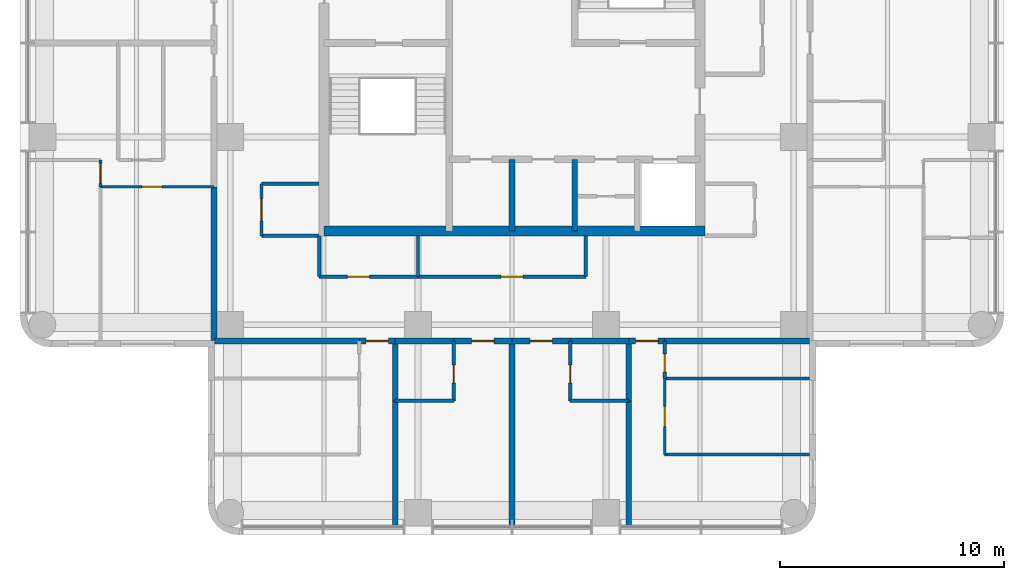
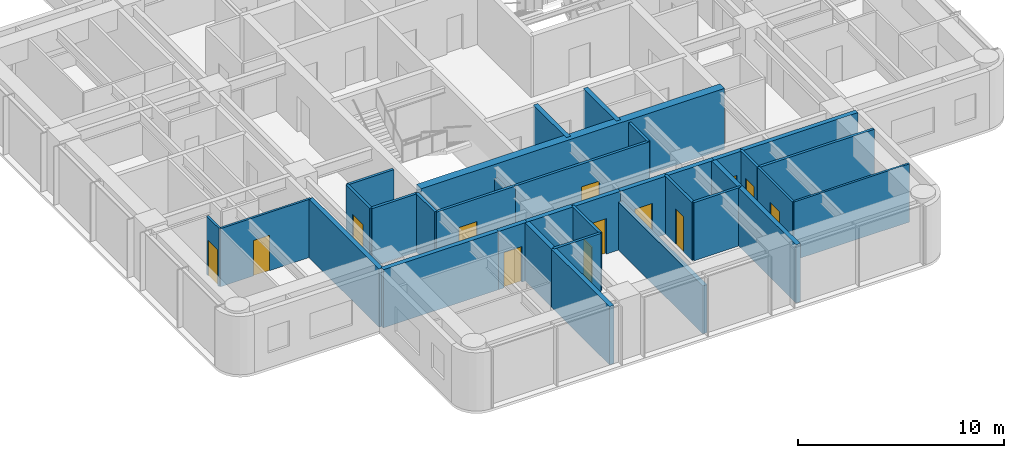
# One storey, part 4 of 10: 35 walls, 13 doors, 13 openings.
"""IFC4 building model written with IfcOpenShell, lengths in metres."""

from ifc_helpers import new_model, si_unit, direction, frame, frame_2d, origin, place, context, subcontext, project, spatial, rectangle, extrude, material, layer, layer_set, type_object, element, fill, save


model = new_model("IFC4")

# Units and contexts
model_context = context("Model", 3, precision=1e-05, world=origin(), true_north=direction((0.0, 1.0)))
body_context = subcontext(model_context, "Body", "Model", "MODEL_VIEW")
ifc_project = project(units=[si_unit("LENGTHUNIT", "METRE"), si_unit("AREAUNIT", "SQUARE_METRE"), si_unit("VOLUMEUNIT", "CUBIC_METRE"), si_unit("PLANEANGLEUNIT", "RADIAN"), si_unit("MASSUNIT", "GRAM", prefix="KILO")], contexts=[model_context])

# Site, building, storey
site_placement = place(None, origin())
site = spatial("IfcSite", under=ifc_project, at=site_placement, CompositionType="ELEMENT")
building_placement = place(site_placement, origin())
building = spatial("IfcBuilding", under=site, at=building_placement, Name="Torre Alcanfor", CompositionType="ELEMENT")
storey_placement = place(building_placement, frame((0.0, 0.0, 286.5)))
storey = spatial("IfcBuildingStorey", under=building, at=storey_placement, Name="L75", CompositionType="ELEMENT", Elevation=286.5)

# Wall, opening, door
ifc_material_1 = material(Name="Concrete block masonry, hollow blocks NMX-C-404 9 MPa", Category="masonry")
ifc_layer_1 = layer(ifc_material_1, 0.25)
ifc_layer_set_1 = layer_set([ifc_layer_1], Name="Apartment entrance wall 250 EI 60")
wall_type_1 = type_object("IfcWallType", Name="Apartment entrance wall 250 EI 60", PredefinedType="PARTITIONING", material=ifc_layer_set_1)
wall_1_placement = place(storey_placement, frame((32.0, 16.074951171875, 0.0), z_axis=(0.0, 0.0, 1.0), x_axis=(-1.0, 0.0, 0.0)))
wall_1 = element("IfcWall", 1, at=wall_1_placement, inside=storey, type_object=wall_type_1, Name="Partition L75-CORR / L75-S1A-STUDIO", PredefinedType="PARTITIONING", context=body_context, shape_type="SweptSolid", body=[
    extrude(rectangle(XDim=2.60009765625, YDim=0.25, at=frame_2d((1.300048828125, 0.0))), origin(), (0.0, 0.0, 1.0), 3.449951171875),
])
opening_1_placement = place(wall_1_placement, frame((0.800048828125, 0.0, 0.0)))
opening_1 = element("IfcOpeningElement", 2, at=opening_1_placement, cuts=wall_1, Name="Opening D-A1", PredefinedType="OPENING", context=body_context, shape_type="SweptSolid", body=[
    extrude(rectangle(XDim=1.0, YDim=2.10009765625, at=frame_2d((0.5, 1.050048828125))), frame((0.0, 0.135009765625, 0.0), z_axis=(0.0, -1.0, 0.0), x_axis=(1.0, 0.0, 0.0)), (0.0, 0.0, 1.0), 0.27001953125),
])
ifc_material_2 = material(Name="Galvanised steel sheet ASTM A653", Category="steel")
door_type_1 = type_object("IfcDoorType", Name="Apartment entrance door FD60 1000x2100", OperationType="SINGLE_SWING_LEFT", PredefinedType="DOOR", material=ifc_material_2)
door_1_placement = place(opening_1_placement, origin())
door_1 = element("IfcDoor", 3, at=door_1_placement, inside=storey, type_object=door_type_1, Name="Apartment entrance L75-S1A", OperationType="SINGLE_SWING_LEFT", OverallHeight=2.10009765625, OverallWidth=1.0, PredefinedType="DOOR", context=body_context, shape_type="SweptSolid", body=[
    extrude(rectangle(XDim=1.0, YDim=2.10009765625, at=frame_2d((0.5, 1.050048828125))), frame((0.0, 0.02490234375, 0.0), z_axis=(0.0, -1.0, 0.0), x_axis=(1.0, 0.0, 0.0)), (0.0, 0.0, 1.0), 0.050048828125),
])
fill(opening_1, door_1)

# Wall
wall_2_placement = place(storey_placement, frame((34.62890625, 16.074951171875, 0.0), z_axis=(0.0, 0.0, 1.0), x_axis=(-1.0, 0.0, 0.0)))
element("IfcWall", 4, at=wall_2_placement, inside=storey, type_object=wall_type_1, Name="Partition L75-CORR / L75-S1A-BATH", PredefinedType="PARTITIONING", context=body_context, shape_type="SweptSolid", body=[
    extrude(rectangle(XDim=2.62890625, YDim=0.25, at=frame_2d((1.314453125, 0.0))), origin(), (0.0, 0.0, 1.0), 3.449951171875),
])

# Wall, opening, door
wall_3_placement = place(storey_placement, frame((36.22900390625, 16.074951171875, 0.0), z_axis=(0.0, 0.0, 1.0), x_axis=(-1.0, 0.0, 0.0)))
wall_3 = element("IfcWall", 5, at=wall_3_placement, inside=storey, type_object=wall_type_1, Name="Partition L75-CORR / L75-S1B-LIVING", PredefinedType="PARTITIONING", context=body_context, shape_type="SweptSolid", body=[
    extrude(rectangle(XDim=1.60009765625, YDim=0.25, at=frame_2d((0.800048828125, 0.0))), origin(), (0.0, 0.0, 1.0), 3.449951171875),
])
opening_2_placement = place(wall_3_placement, frame((0.300048828125, 0.0, 0.0)))
opening_2 = element("IfcOpeningElement", 6, at=opening_2_placement, cuts=wall_3, Name="Opening D-A1", PredefinedType="OPENING", context=body_context, shape_type="SweptSolid", body=[
    extrude(rectangle(XDim=1.0, YDim=2.10009765625, at=frame_2d((0.5, 1.050048828125))), frame((0.0, 0.135009765625, 0.0), z_axis=(0.0, -1.0, 0.0), x_axis=(1.0, 0.0, 0.0)), (0.0, 0.0, 1.0), 0.27001953125),
])
door_2_placement = place(opening_2_placement, origin())
door_2 = element("IfcDoor", 7, at=door_2_placement, inside=storey, type_object=door_type_1, Name="Apartment entrance L75-S1B", OperationType="SINGLE_SWING_LEFT", OverallHeight=2.10009765625, OverallWidth=1.0, PredefinedType="DOOR", context=body_context, shape_type="SweptSolid", body=[
    extrude(rectangle(XDim=1.0, YDim=2.10009765625, at=frame_2d((0.5, 1.050048828125))), frame((0.0, 0.02490234375, 0.0), z_axis=(0.0, -1.0, 0.0), x_axis=(1.0, 0.0, 0.0)), (0.0, 0.0, 1.0), 0.050048828125),
])
fill(opening_2, door_2)

# Wall
wall_4_placement = place(storey_placement, frame((42.699951171875, 16.074951171875, 0.0), z_axis=(0.0, 0.0, 1.0), x_axis=(-1.0, 0.0, 0.0)))
element("IfcWall", 8, at=wall_4_placement, inside=storey, type_object=wall_type_1, Name="Partition L75-CORR / L75-S1B-BATH", PredefinedType="PARTITIONING", context=body_context, shape_type="SweptSolid", body=[
    extrude(rectangle(XDim=6.470947265625, YDim=0.25, at=frame_2d((3.2353515625, 0.0))), origin(), (0.0, 0.0, 1.0), 3.449951171875),
])

# Wall, opening, door
wall_5_placement = place(storey_placement, frame((29.39990234375, 16.074951171875, 0.0), z_axis=(0.0, 0.0, 1.0), x_axis=(-1.0, 0.0, 0.0)))
wall_5 = element("IfcWall", 9, at=wall_5_placement, inside=storey, type_object=wall_type_1, Name="Partition L75-CORR / L75-S2A-STUDIO", PredefinedType="PARTITIONING", context=body_context, shape_type="SweptSolid", body=[
    extrude(rectangle(XDim=2.599853515625, YDim=0.25, at=frame_2d((1.2998046875, 0.0))), origin(), (0.0, 0.0, 1.0), 3.449951171875),
])
opening_3_placement = place(wall_5_placement, frame((0.800048828125, 0.0, 0.0)))
opening_3 = element("IfcOpeningElement", 10, at=opening_3_placement, cuts=wall_5, Name="Opening D-A1", PredefinedType="OPENING", context=body_context, shape_type="SweptSolid", body=[
    extrude(rectangle(XDim=1.0, YDim=2.10009765625, at=frame_2d((0.5, 1.050048828125))), frame((0.0, 0.135009765625, 0.0), z_axis=(0.0, -1.0, 0.0), x_axis=(1.0, 0.0, 0.0)), (0.0, 0.0, 1.0), 0.27001953125),
])
door_3_placement = place(opening_3_placement, origin())
door_3 = element("IfcDoor", 11, at=door_3_placement, inside=storey, type_object=door_type_1, Name="Apartment entrance L75-S2A", OperationType="SINGLE_SWING_LEFT", OverallHeight=2.10009765625, OverallWidth=1.0, PredefinedType="DOOR", context=body_context, shape_type="SweptSolid", body=[
    extrude(rectangle(XDim=1.0, YDim=2.10009765625, at=frame_2d((0.5, 1.050048828125))), frame((0.0, 0.02490234375, 0.0), z_axis=(0.0, -1.0, 0.0), x_axis=(1.0, 0.0, 0.0)), (0.0, 0.0, 1.0), 0.050048828125),
])
fill(opening_3, door_3)

# Wall
wall_6_placement = place(storey_placement, frame((26.800048828125, 16.074951171875, 0.0), z_axis=(0.0, 0.0, 1.0), x_axis=(-1.0, 0.0, 0.0)))
element("IfcWall", 12, at=wall_6_placement, inside=storey, type_object=wall_type_1, Name="Partition L75-CORR / L75-S2A-BATH", PredefinedType="PARTITIONING", context=body_context, shape_type="SweptSolid", body=[
    extrude(rectangle(XDim=2.629150390625, YDim=0.25, at=frame_2d((1.314453125, 0.0))), origin(), (0.0, 0.0, 1.0), 3.449951171875),
])

# Wall, opening, door
wall_7_placement = place(storey_placement, frame((24.1708984375, 16.074951171875, 0.0), z_axis=(0.0, 0.0, 1.0), x_axis=(-1.0, 0.0, 0.0)))
wall_7 = element("IfcWall", 13, at=wall_7_placement, inside=storey, type_object=wall_type_1, Name="Partition L75-CORR / L75-S2B-LIVING", PredefinedType="PARTITIONING", context=body_context, shape_type="SweptSolid", body=[
    extrude(rectangle(XDim=1.599853515625, YDim=0.25, at=frame_2d((0.7998046875, 0.0))), origin(), (0.0, 0.0, 1.0), 3.449951171875),
])
opening_4_placement = place(wall_7_placement, frame((0.300048828125, 0.0, 0.0)))
opening_4 = element("IfcOpeningElement", 14, at=opening_4_placement, cuts=wall_7, Name="Opening D-A1", PredefinedType="OPENING", context=body_context, shape_type="SweptSolid", body=[
    extrude(rectangle(XDim=1.0, YDim=2.10009765625, at=frame_2d((0.5, 1.050048828125))), frame((0.0, 0.135009765625, 0.0), z_axis=(0.0, -1.0, 0.0), x_axis=(1.0, 0.0, 0.0)), (0.0, 0.0, 1.0), 0.27001953125),
])
door_4_placement = place(opening_4_placement, origin())
door_4 = element("IfcDoor", 15, at=door_4_placement, inside=storey, type_object=door_type_1, Name="Apartment entrance L75-S2B", OperationType="SINGLE_SWING_LEFT", OverallHeight=2.10009765625, OverallWidth=1.0, PredefinedType="DOOR", context=body_context, shape_type="SweptSolid", body=[
    extrude(rectangle(XDim=1.0, YDim=2.10009765625, at=frame_2d((0.5, 1.050048828125))), frame((0.0, 0.02490234375, 0.0), z_axis=(0.0, -1.0, 0.0), x_axis=(1.0, 0.0, 0.0)), (0.0, 0.0, 1.0), 0.050048828125),
])
fill(opening_4, door_4)

# Walls
wall_8_placement = place(storey_placement, frame((22.571044921875, 16.074951171875, 0.0), z_axis=(0.0, 0.0, 1.0), x_axis=(-1.0, 0.0, 0.0)))
element("IfcWall", 16, at=wall_8_placement, inside=storey, type_object=wall_type_1, Name="Partition L75-CORR / L75-S2B-BATH", PredefinedType="PARTITIONING", context=body_context, shape_type="SweptSolid", body=[
    extrude(rectangle(XDim=6.470947265625, YDim=0.25, at=frame_2d((3.2353515625, 0.0))), origin(), (0.0, 0.0, 1.0), 3.449951171875),
])
wall_9_placement = place(storey_placement, frame((16.074951171875, 16.10009765625, 0.0), z_axis=(0.0, 0.0, 1.0), x_axis=(0.0, 1.0, 0.0)))
element("IfcWall", 17, at=wall_9_placement, inside=storey, type_object=wall_type_1, Name="Partition L75-CORR / L75-W1-BED2", PredefinedType="PARTITIONING", context=body_context, shape_type="SweptSolid", body=[
    extrude(rectangle(XDim=6.870849609375, YDim=0.25, at=frame_2d((3.435546875, 0.0))), origin(), (0.0, 0.0, 1.0), 3.449951171875),
])

# Wall, opening, door
ifc_material_3 = material(Name="Gypsum board on steel studs", Category="steel")
ifc_layer_2 = layer(ifc_material_3, 0.1201171875)
ifc_layer_set_2 = layer_set([ifc_layer_2], Name="Apartment partition 120")
wall_type_2 = type_object("IfcWallType", Name="Apartment partition 120", PredefinedType="PARTITIONING", material=ifc_layer_set_2)
wall_10_placement = place(storey_placement, frame((36.22900390625, 14.39990234375, 0.0), z_axis=(0.0, 0.0, 1.0), x_axis=(0.0, -1.0, 0.0)))
wall_10 = element("IfcWall", 18, at=wall_10_placement, inside=storey, type_object=wall_type_2, Name="Partition L75-S1B-LIVING / L75-S1B-MASTER", PredefinedType="PARTITIONING", context=body_context, shape_type="SweptSolid", body=[
    extrude(rectangle(XDim=3.39990234375, YDim=0.1201171875, at=frame_2d((1.699951171875, 0.0))), origin(), (0.0, 0.0, 1.0), 3.449951171875),
])
opening_5_placement = place(wall_10_placement, frame((1.25, 0.0, 0.0)))
opening_5 = element("IfcOpeningElement", 19, at=opening_5_placement, cuts=wall_10, Name="Opening D-R1", PredefinedType="OPENING", context=body_context, shape_type="SweptSolid", body=[
    extrude(rectangle(XDim=0.89990234375, YDim=2.10009765625, at=frame_2d((0.449951171875, 1.050048828125))), frame((0.0, 0.070068359375, 0.0), z_axis=(0.0, -1.0, 0.0), x_axis=(1.0, 0.0, 0.0)), (0.0, 0.0, 1.0), 0.14013671875),
])
ifc_material_4 = material(Name="Timber", Category="wood")
door_type_2 = type_object("IfcDoorType", Name="Internal door 900x2100", OperationType="SINGLE_SWING_LEFT", PredefinedType="DOOR", material=ifc_material_4)
door_5_placement = place(opening_5_placement, origin())
door_5 = element("IfcDoor", 20, at=door_5_placement, inside=storey, type_object=door_type_2, Name="Door L75-S1B master", OperationType="SINGLE_SWING_LEFT", OverallHeight=2.10009765625, OverallWidth=0.89990234375, PredefinedType="DOOR", context=body_context, shape_type="SweptSolid", body=[
    extrude(rectangle(XDim=0.89990234375, YDim=2.10009765625, at=frame_2d((0.449951171875, 1.050048828125))), frame((0.0, 0.02490234375, 0.0), z_axis=(0.0, -1.0, 0.0), x_axis=(1.0, 0.0, 0.0)), (0.0, 0.0, 1.0), 0.050048828125),
])
fill(opening_5, door_5)

# Wall
wall_11_placement = place(storey_placement, frame((36.22900390625, 11.0, 0.0), z_axis=(0.0, 0.0, 1.0), x_axis=(1.0, 0.0, 0.0)))
element("IfcWall", 21, at=wall_11_placement, inside=storey, type_object=wall_type_2, Name="Partition L75-S1B-LIVING / L75-S1B-MASTER", PredefinedType="PARTITIONING", context=body_context, shape_type="SweptSolid", body=[
    extrude(rectangle(XDim=6.470947265625, YDim=0.1201171875, at=frame_2d((3.2353515625, 0.0))), origin(), (0.0, 0.0, 1.0), 3.449951171875),
])

# Wall, opening, door
wall_12_placement = place(storey_placement, frame((16.074951171875, 22.970947265625, 0.0), z_axis=(0.0, 0.0, 1.0), x_axis=(-1.0, 0.0, 0.0)))
wall_12 = element("IfcWall", 22, at=wall_12_placement, inside=storey, type_object=wall_type_2, Name="Partition L75-W1-LIVING / L75-W1-BED2", PredefinedType="PARTITIONING", context=body_context, shape_type="SweptSolid", body=[
    extrude(rectangle(XDim=5.074951171875, YDim=0.1201171875, at=frame_2d((2.53759765625, 0.0))), origin(), (0.0, 0.0, 1.0), 3.449951171875),
])
opening_6_placement = place(wall_12_placement, frame((2.324951171875, 0.0, 0.0)))
opening_6 = element("IfcOpeningElement", 23, at=opening_6_placement, cuts=wall_12, Name="Opening D-R1", PredefinedType="OPENING", context=body_context, shape_type="SweptSolid", body=[
    extrude(rectangle(XDim=0.89990234375, YDim=2.10009765625, at=frame_2d((0.449951171875, 1.050048828125))), frame((0.0, 0.070068359375, 0.0), z_axis=(0.0, -1.0, 0.0), x_axis=(1.0, 0.0, 0.0)), (0.0, 0.0, 1.0), 0.14013671875),
])
door_6_placement = place(opening_6_placement, origin())
door_6 = element("IfcDoor", 24, at=door_6_placement, inside=storey, type_object=door_type_2, Name="Door L75-W1 bed2", OperationType="SINGLE_SWING_RIGHT", OverallHeight=2.10009765625, OverallWidth=0.89990234375, PredefinedType="DOOR", context=body_context, shape_type="SweptSolid", body=[
    extrude(rectangle(XDim=0.89990234375, YDim=2.10009765625, at=frame_2d((0.449951171875, 1.050048828125))), frame((0.0, 0.02490234375, 0.0), z_axis=(0.0, -1.0, 0.0), x_axis=(1.0, 0.0, 0.0)), (0.0, 0.0, 1.0), 0.050048828125),
])
fill(opening_6, door_6)

wall_13_placement = place(storey_placement, frame((11.0, 22.970947265625, 0.0), z_axis=(0.0, 0.0, 1.0), x_axis=(0.0, 1.0, 0.0)))
wall_13 = element("IfcWall", 25, at=wall_13_placement, inside=storey, type_object=wall_type_2, Name="Partition L75-W1-LIVING / L75-W1-MASTER", PredefinedType="PARTITIONING", context=body_context, shape_type="SweptSolid", body=[
    extrude(rectangle(XDim=1.199951171875, YDim=0.1201171875, at=frame_2d((0.60009765625, 0.0))), origin(), (0.0, 0.0, 1.0), 3.449951171875),
])
opening_7_placement = place(wall_13_placement, frame((0.14892578125, 0.0, 0.0)))
opening_7 = element("IfcOpeningElement", 26, at=opening_7_placement, cuts=wall_13, Name="Opening D-R1", PredefinedType="OPENING", context=body_context, shape_type="SweptSolid", body=[
    extrude(rectangle(XDim=0.89990234375, YDim=2.10009765625, at=frame_2d((0.449951171875, 1.050048828125))), frame((0.0, 0.070068359375, 0.0), z_axis=(0.0, -1.0, 0.0), x_axis=(1.0, 0.0, 0.0)), (0.0, 0.0, 1.0), 0.14013671875),
])
door_7_placement = place(opening_7_placement, origin())
door_7 = element("IfcDoor", 27, at=door_7_placement, inside=storey, type_object=door_type_2, Name="Door L75-W1 master", OperationType="SINGLE_SWING_RIGHT", OverallHeight=2.10009765625, OverallWidth=0.89990234375, PredefinedType="DOOR", context=body_context, shape_type="SweptSolid", body=[
    extrude(rectangle(XDim=0.89990234375, YDim=2.10009765625, at=frame_2d((0.449951171875, 1.050048828125))), frame((0.0, 0.02490234375, 0.0), z_axis=(0.0, -1.0, 0.0), x_axis=(1.0, 0.0, 0.0)), (0.0, 0.0, 1.0), 0.050048828125),
])
fill(opening_7, door_7)

# Walls
ifc_material_5 = material(Name="Concrete f'c 70 MPa", Category="concrete")
ifc_layer_3 = layer(ifc_material_5, 0.25)
ifc_layer_set_3 = layer_set([ifc_layer_3], Name="Core shaft wall 250 f'c70")
wall_type_3 = type_object("IfcWallType", Name="Core shaft wall 250 f'c70", PredefinedType="SHEAR", material=ifc_layer_set_3)
for number, where, z_axis, x_axis, name in (
    (28, (29.39990234375, 21.0, 0.0), (0.0, 0.0, 1.0), (0.0, 1.0, 0.0), "Core wall X294S L75"),
    (29, (32.199951171875, 21.0, 0.0), (0.0, 0.0, 1.0), (0.0, 1.0, 0.0), "Core wall X322S L75"),
):
    element("IfcWall", number, at=place(storey_placement, frame(where, z_axis=z_axis, x_axis=x_axis)), inside=storey, type_object=wall_type_3, Name=name, PredefinedType="SHEAR", context=body_context, shape_type="SweptSolid", body=[
        extrude(rectangle(XDim=3.199951171875, YDim=0.25, at=frame_2d((1.60009765625, 0.0))), origin(), (0.0, 0.0, 1.0), 3.60009765625),
    ])
ifc_material_6 = material(Name="Concrete f'c 70 MPa", Category="concrete")
ifc_layer_4 = layer(ifc_material_6, 0.449951171875)
ifc_layer_set_4 = layer_set([ifc_layer_4], Name="Core wall 450 f'c70")
wall_type_4 = type_object("IfcWallType", Name="Core wall 450 f'c70", PredefinedType="SHEAR", material=ifc_layer_set_4)
wall_14_placement = place(storey_placement, frame((21.0, 21.0, 0.0), z_axis=(0.0, 0.0, 1.0), x_axis=(1.0, 0.0, 0.0)))
element("IfcWall", 30, at=wall_14_placement, inside=storey, type_object=wall_type_4, Name="Core wall OUT-S L75", PredefinedType="SHEAR", context=body_context, shape_type="SweptSolid", body=[
    extrude(rectangle(XDim=17.02490234375, YDim=0.449951171875, at=frame_2d((8.512451171875, 0.0))), origin(), (0.0, 0.0, 1.0), 3.60009765625),
])
ifc_material_7 = material(Name="Concrete block masonry, hollow blocks NMX-C-404 9 MPa", Category="masonry")
ifc_layer_5 = layer(ifc_material_7, 0.25)
ifc_layer_set_5 = layer_set([ifc_layer_5], Name="Party wall 250 EI 60")
wall_type_5 = type_object("IfcWallType", Name="Party wall 250 EI 60", PredefinedType="PARTITIONING", material=ifc_layer_set_5)
wall_15_placement = place(storey_placement, frame((34.62890625, 13.39990234375, 0.0), z_axis=(0.0, 0.0, 1.0), x_axis=(0.0, -1.0, 0.0)))
element("IfcWall", 31, at=wall_15_placement, inside=storey, type_object=wall_type_5, Name="Partition L75-S1A-STUDIO / L75-S1B-LIVING", PredefinedType="PARTITIONING", context=body_context, shape_type="SweptSolid", body=[
    extrude(rectangle(XDim=5.64990234375, YDim=0.25, at=frame_2d((2.824951171875, 0.0))), origin(), (0.0, 0.0, 1.0), 3.449951171875),
])
wall_16_placement = place(storey_placement, frame((29.39990234375, 7.75, 0.0), z_axis=(0.0, 0.0, 1.0), x_axis=(0.0, 1.0, 0.0)))
element("IfcWall", 32, at=wall_16_placement, inside=storey, type_object=wall_type_5, Name="Partition L75-S1A-STUDIO / L75-S2A-STUDIO", PredefinedType="PARTITIONING", context=body_context, shape_type="SweptSolid", body=[
    extrude(rectangle(XDim=8.324951171875, YDim=0.25, at=frame_2d((4.16259765625, 0.0))), origin(), (0.0, 0.0, 1.0), 2.847900390625),
])
wall_17_placement = place(storey_placement, frame((34.62890625, 13.39990234375, 0.0), z_axis=(0.0, 0.0, 1.0), x_axis=(0.0, 1.0, 0.0)))
element("IfcWall", 33, at=wall_17_placement, inside=storey, type_object=wall_type_5, Name="Partition L75-S1A-BATH / L75-S1B-LIVING", PredefinedType="PARTITIONING", context=body_context, shape_type="SweptSolid", body=[
    extrude(rectangle(XDim=2.675048828125, YDim=0.25, at=frame_2d((1.33740234375, 0.0))), origin(), (0.0, 0.0, 1.0), 3.449951171875),
])
wall_18_placement = place(storey_placement, frame((24.1708984375, 7.75, 0.0), z_axis=(0.0, 0.0, 1.0), x_axis=(0.0, 1.0, 0.0)))
element("IfcWall", 34, at=wall_18_placement, inside=storey, type_object=wall_type_5, Name="Partition L75-S2A-STUDIO / L75-S2B-LIVING", PredefinedType="PARTITIONING", context=body_context, shape_type="SweptSolid", body=[
    extrude(rectangle(XDim=5.64990234375, YDim=0.25, at=frame_2d((2.824951171875, 0.0))), origin(), (0.0, 0.0, 1.0), 3.449951171875),
])
wall_19_placement = place(storey_placement, frame((24.1708984375, 13.39990234375, 0.0), z_axis=(0.0, 0.0, 1.0), x_axis=(0.0, 1.0, 0.0)))
element("IfcWall", 35, at=wall_19_placement, inside=storey, type_object=wall_type_5, Name="Partition L75-S2A-BATH / L75-S2B-LIVING", PredefinedType="PARTITIONING", context=body_context, shape_type="SweptSolid", body=[
    extrude(rectangle(XDim=2.675048828125, YDim=0.25, at=frame_2d((1.33740234375, 0.0))), origin(), (0.0, 0.0, 1.0), 3.449951171875),
])
ifc_material_8 = material(Name="Concrete block masonry, hollow blocks NMX-C-404 9 MPa", Category="masonry")
ifc_layer_6 = layer(ifc_material_8, 0.14990234375)
ifc_layer_set_6 = layer_set([ifc_layer_6], Name="Residents' room partition 150")
wall_type_6 = type_object("IfcWallType", Name="Residents' room partition 150", PredefinedType="PARTITIONING", material=ifc_layer_set_6)
wall_20_placement = place(storey_placement, frame((20.77490234375, 20.77490234375, 0.0), z_axis=(0.0, 0.0, 1.0), x_axis=(0.0, -1.0, 0.0)))
element("IfcWall", 36, at=wall_20_placement, inside=storey, type_object=wall_type_6, Name="Partition L75-CORR / L75-G05", PredefinedType="PARTITIONING", context=body_context, shape_type="SweptSolid", body=[
    extrude(rectangle(XDim=1.824951171875, YDim=0.14990234375, at=frame_2d((0.91259765625, 0.0))), origin(), (0.0, 0.0, 1.0), 3.449951171875),
])

# Wall, opening, door
wall_21_placement = place(storey_placement, frame((20.77490234375, 18.949951171875, 0.0), z_axis=(0.0, 0.0, 1.0), x_axis=(1.0, 0.0, 0.0)))
wall_21 = element("IfcWall", 37, at=wall_21_placement, inside=storey, type_object=wall_type_6, Name="Partition L75-CORR / L75-G05", PredefinedType="PARTITIONING", context=body_context, shape_type="SweptSolid", body=[
    extrude(rectangle(XDim=4.425048828125, YDim=0.14990234375, at=frame_2d((2.21240234375, 0.0))), origin(), (0.0, 0.0, 1.0), 3.449951171875),
])
opening_8_placement = place(wall_21_placement, frame((1.262451171875, 0.0, 0.0)))
opening_8 = element("IfcOpeningElement", 38, at=opening_8_placement, cuts=wall_21, Name="Opening D-M1", PredefinedType="OPENING", context=body_context, shape_type="SweptSolid", body=[
    extrude(rectangle(XDim=1.0, YDim=2.10009765625, at=frame_2d((0.5, 1.050048828125))), frame((0.0, 0.0849609375, 0.0), z_axis=(0.0, -1.0, 0.0), x_axis=(1.0, 0.0, 0.0)), (0.0, 0.0, 1.0), 0.169921875),
])
ifc_material_9 = material(Name="Timber", Category="wood")
door_type_3 = type_object("IfcDoorType", Name="Residents' room door 1000x2100", OperationType="SINGLE_SWING_LEFT", PredefinedType="DOOR", material=ifc_material_9)
door_8_placement = place(opening_8_placement, origin())
door_8 = element("IfcDoor", 39, at=door_8_placement, inside=storey, type_object=door_type_3, Name="Door L75-G05 linen store", OperationType="SINGLE_SWING_LEFT", OverallHeight=2.10009765625, OverallWidth=1.0, PredefinedType="DOOR", context=body_context, shape_type="SweptSolid", body=[
    extrude(rectangle(XDim=1.0, YDim=2.10009765625, at=frame_2d((0.5, 1.050048828125))), frame((0.0, 0.02490234375, 0.0), z_axis=(0.0, -1.0, 0.0), x_axis=(1.0, 0.0, 0.0)), (0.0, 0.0, 1.0), 0.050048828125),
])
fill(opening_8, door_8)

wall_22_placement = place(storey_placement, frame((25.199951171875, 18.949951171875, 0.0), z_axis=(0.0, 0.0, 1.0), x_axis=(1.0, 0.0, 0.0)))
wall_22 = element("IfcWall", 40, at=wall_22_placement, inside=storey, type_object=wall_type_6, Name="Partition L75-CORR / L75-G06", PredefinedType="PARTITIONING", context=body_context, shape_type="SweptSolid", body=[
    extrude(rectangle(XDim=7.5, YDim=0.14990234375, at=frame_2d((3.75, 0.0))), origin(), (0.0, 0.0, 1.0), 3.449951171875),
])
opening_9_placement = place(wall_22_placement, frame((3.699951171875, 0.0, 0.0)))
opening_9 = element("IfcOpeningElement", 41, at=opening_9_placement, cuts=wall_22, Name="Opening D-M1", PredefinedType="OPENING", context=body_context, shape_type="SweptSolid", body=[
    extrude(rectangle(XDim=1.0, YDim=2.10009765625, at=frame_2d((0.5, 1.050048828125))), frame((0.0, 0.0849609375, 0.0), z_axis=(0.0, -1.0, 0.0), x_axis=(1.0, 0.0, 0.0)), (0.0, 0.0, 1.0), 0.169921875),
])
door_9_placement = place(opening_9_placement, origin())
door_9 = element("IfcDoor", 42, at=door_9_placement, inside=storey, type_object=door_type_3, Name="Door L75-G06 pram and wheelchair store", OperationType="SINGLE_SWING_RIGHT", OverallHeight=2.10009765625, OverallWidth=1.0, PredefinedType="DOOR", context=body_context, shape_type="SweptSolid", body=[
    extrude(rectangle(XDim=1.0, YDim=2.10009765625, at=frame_2d((0.5, 1.050048828125))), frame((0.0, 0.02490234375, 0.0), z_axis=(0.0, -1.0, 0.0), x_axis=(1.0, 0.0, 0.0)), (0.0, 0.0, 1.0), 0.050048828125),
])
fill(opening_9, door_9)

# Walls
wall_23_placement = place(storey_placement, frame((32.699951171875, 18.949951171875, 0.0), z_axis=(0.0, 0.0, 1.0), x_axis=(0.0, 1.0, 0.0)))
element("IfcWall", 43, at=wall_23_placement, inside=storey, type_object=wall_type_6, Name="Partition L75-CORR / L75-G06", PredefinedType="PARTITIONING", context=body_context, shape_type="SweptSolid", body=[
    extrude(rectangle(XDim=1.824951171875, YDim=0.14990234375, at=frame_2d((0.91259765625, 0.0))), origin(), (0.0, 0.0, 1.0), 3.449951171875),
])
wall_24_placement = place(storey_placement, frame((20.77490234375, 23.10009765625, 0.0), z_axis=(0.0, 0.0, 1.0), x_axis=(-1.0, 0.0, 0.0)))
element("IfcWall", 44, at=wall_24_placement, inside=storey, type_object=wall_type_6, Name="Partition L75-CORR / L75-G07", PredefinedType="PARTITIONING", context=body_context, shape_type="SweptSolid", body=[
    extrude(rectangle(XDim=2.574951171875, YDim=0.14990234375, at=frame_2d((1.28759765625, 0.0))), origin(), (0.0, 0.0, 1.0), 3.449951171875),
])

# Wall, opening, door
wall_25_placement = place(storey_placement, frame((18.199951171875, 23.10009765625, 0.0), z_axis=(0.0, 0.0, 1.0), x_axis=(0.0, -1.0, 0.0)))
wall_25 = element("IfcWall", 45, at=wall_25_placement, inside=storey, type_object=wall_type_6, Name="Partition L75-CORR / L75-G07", PredefinedType="PARTITIONING", context=body_context, shape_type="SweptSolid", body=[
    extrude(rectangle(XDim=2.3251953125, YDim=0.14990234375, at=frame_2d((1.16259765625, 0.0))), origin(), (0.0, 0.0, 1.0), 3.449951171875),
])
opening_10_placement = place(wall_25_placement, frame((0.66259765625, 0.0, 0.0)))
opening_10 = element("IfcOpeningElement", 46, at=opening_10_placement, cuts=wall_25, Name="Opening D-M1", PredefinedType="OPENING", context=body_context, shape_type="SweptSolid", body=[
    extrude(rectangle(XDim=1.0, YDim=2.10009765625, at=frame_2d((0.5, 1.050048828125))), frame((0.0, 0.0849609375, 0.0), z_axis=(0.0, -1.0, 0.0), x_axis=(1.0, 0.0, 0.0)), (0.0, 0.0, 1.0), 0.169921875),
])
door_10_placement = place(opening_10_placement, origin())
door_10 = element("IfcDoor", 47, at=door_10_placement, inside=storey, type_object=door_type_3, Name="Door L75-G07 residents' storage", OperationType="SINGLE_SWING_LEFT", OverallHeight=2.10009765625, OverallWidth=1.0, PredefinedType="DOOR", context=body_context, shape_type="SweptSolid", body=[
    extrude(rectangle(XDim=1.0, YDim=2.10009765625, at=frame_2d((0.5, 1.050048828125))), frame((0.0, 0.02490234375, 0.0), z_axis=(0.0, -1.0, 0.0), x_axis=(1.0, 0.0, 0.0)), (0.0, 0.0, 1.0), 0.050048828125),
])
fill(opening_10, door_10)

# Walls
wall_26_placement = place(storey_placement, frame((18.199951171875, 20.77490234375, 0.0), z_axis=(0.0, 0.0, 1.0), x_axis=(1.0, 0.0, 0.0)))
element("IfcWall", 48, at=wall_26_placement, inside=storey, type_object=wall_type_6, Name="Partition L75-CORR / L75-G07", PredefinedType="PARTITIONING", context=body_context, shape_type="SweptSolid", body=[
    extrude(rectangle(XDim=2.574951171875, YDim=0.14990234375, at=frame_2d((1.28759765625, 0.0))), origin(), (0.0, 0.0, 1.0), 3.449951171875),
])
wall_27_placement = place(storey_placement, frame((25.199951171875, 18.949951171875, 0.0), z_axis=(0.0, 0.0, 1.0), x_axis=(0.0, 1.0, 0.0)))
element("IfcWall", 49, at=wall_27_placement, inside=storey, type_object=wall_type_6, Name="Partition L75-G05 / L75-G06", PredefinedType="PARTITIONING", context=body_context, shape_type="SweptSolid", body=[
    extrude(rectangle(XDim=1.824951171875, YDim=0.14990234375, at=frame_2d((0.91259765625, 0.0))), origin(), (0.0, 0.0, 1.0), 2.7666015625),
])

# Wall, opening, door
ifc_material_10 = material(Name="Cement board on steel studs", Category="steel")
ifc_layer_7 = layer(ifc_material_10, 0.14990234375)
ifc_layer_set_7 = layer_set([ifc_layer_7], Name="Wet area partition 150")
wall_type_7 = type_object("IfcWallType", Name="Wet area partition 150", PredefinedType="PARTITIONING", material=ifc_layer_set_7)
wall_28_placement = place(storey_placement, frame((32.0, 16.074951171875, 0.0), z_axis=(0.0, 0.0, 1.0), x_axis=(0.0, -1.0, 0.0)))
wall_28 = element("IfcWall", 50, at=wall_28_placement, inside=storey, type_object=wall_type_7, Name="Partition L75-S1A-STUDIO / L75-S1A-BATH", PredefinedType="PARTITIONING", context=body_context, shape_type="SweptSolid", body=[
    extrude(rectangle(XDim=2.675048828125, YDim=0.14990234375, at=frame_2d((1.33740234375, 0.0))), origin(), (0.0, 0.0, 1.0), 3.449951171875),
])
opening_11_placement = place(wall_28_placement, frame((1.074951171875, 0.0, 0.0)))
opening_11 = element("IfcOpeningElement", 51, at=opening_11_placement, cuts=wall_28, Name="Opening D-R2", PredefinedType="OPENING", context=body_context, shape_type="SweptSolid", body=[
    extrude(rectangle(XDim=0.800048828125, YDim=2.10009765625, at=frame_2d((0.39990234375, 1.050048828125))), frame((0.0, 0.0849609375, 0.0), z_axis=(0.0, -1.0, 0.0), x_axis=(1.0, 0.0, 0.0)), (0.0, 0.0, 1.0), 0.169921875),
])
ifc_material_11 = material(Name="Timber", Category="wood")
door_type_4 = type_object("IfcDoorType", Name="Bathroom door 800x2100", OperationType="SINGLE_SWING_LEFT", PredefinedType="DOOR", material=ifc_material_11)
door_11_placement = place(opening_11_placement, origin())
door_11 = element("IfcDoor", 52, at=door_11_placement, inside=storey, type_object=door_type_4, Name="Door L75-S1A bath", OperationType="SINGLE_SWING_RIGHT", OverallHeight=2.10009765625, OverallWidth=0.800048828125, PredefinedType="DOOR", context=body_context, shape_type="SweptSolid", body=[
    extrude(rectangle(XDim=0.800048828125, YDim=2.10009765625, at=frame_2d((0.39990234375, 1.050048828125))), frame((0.0, 0.02490234375, 0.0), z_axis=(0.0, -1.0, 0.0), x_axis=(1.0, 0.0, 0.0)), (0.0, 0.0, 1.0), 0.050048828125),
])
fill(opening_11, door_11)

# Wall
wall_29_placement = place(storey_placement, frame((32.0, 13.39990234375, 0.0), z_axis=(0.0, 0.0, 1.0), x_axis=(1.0, 0.0, 0.0)))
element("IfcWall", 53, at=wall_29_placement, inside=storey, type_object=wall_type_7, Name="Partition L75-S1A-STUDIO / L75-S1A-BATH", PredefinedType="PARTITIONING", context=body_context, shape_type="SweptSolid", body=[
    extrude(rectangle(XDim=2.62890625, YDim=0.14990234375, at=frame_2d((1.314453125, 0.0))), origin(), (0.0, 0.0, 1.0), 3.449951171875),
])

# Wall, opening, door
wall_30_placement = place(storey_placement, frame((36.22900390625, 16.074951171875, 0.0), z_axis=(0.0, 0.0, 1.0), x_axis=(0.0, -1.0, 0.0)))
wall_30 = element("IfcWall", 54, at=wall_30_placement, inside=storey, type_object=wall_type_7, Name="Partition L75-S1B-LIVING / L75-S1B-BATH", PredefinedType="PARTITIONING", context=body_context, shape_type="SweptSolid", body=[
    extrude(rectangle(XDim=1.675048828125, YDim=0.14990234375, at=frame_2d((0.83740234375, 0.0))), origin(), (0.0, 0.0, 1.0), 3.449951171875),
])
opening_12_placement = place(wall_30_placement, frame((0.574951171875, 0.0, 0.0)))
opening_12 = element("IfcOpeningElement", 55, at=opening_12_placement, cuts=wall_30, Name="Opening D-R2", PredefinedType="OPENING", context=body_context, shape_type="SweptSolid", body=[
    extrude(rectangle(XDim=0.800048828125, YDim=2.10009765625, at=frame_2d((0.39990234375, 1.050048828125))), frame((0.0, 0.0849609375, 0.0), z_axis=(0.0, -1.0, 0.0), x_axis=(1.0, 0.0, 0.0)), (0.0, 0.0, 1.0), 0.169921875),
])
door_12_placement = place(opening_12_placement, origin())
door_12 = element("IfcDoor", 56, at=door_12_placement, inside=storey, type_object=door_type_4, Name="Door L75-S1B bath", OperationType="SINGLE_SWING_RIGHT", OverallHeight=2.10009765625, OverallWidth=0.800048828125, PredefinedType="DOOR", context=body_context, shape_type="SweptSolid", body=[
    extrude(rectangle(XDim=0.800048828125, YDim=2.10009765625, at=frame_2d((0.39990234375, 1.050048828125))), frame((0.0, 0.02490234375, 0.0), z_axis=(0.0, -1.0, 0.0), x_axis=(1.0, 0.0, 0.0)), (0.0, 0.0, 1.0), 0.050048828125),
])
fill(opening_12, door_12)

# Walls
wall_31_placement = place(storey_placement, frame((36.22900390625, 14.39990234375, 0.0), z_axis=(0.0, 0.0, 1.0), x_axis=(1.0, 0.0, 0.0)))
element("IfcWall", 57, at=wall_31_placement, inside=storey, type_object=wall_type_7, Name="Partition L75-S1B-BATH / L75-S1B-MASTER", PredefinedType="PARTITIONING", context=body_context, shape_type="SweptSolid", body=[
    extrude(rectangle(XDim=6.470947265625, YDim=0.14990234375, at=frame_2d((3.2353515625, 0.0))), origin(), (0.0, 0.0, 1.0), 3.449951171875),
])
wall_32_placement = place(storey_placement, frame((24.1708984375, 13.39990234375, 0.0), z_axis=(0.0, 0.0, 1.0), x_axis=(1.0, 0.0, 0.0)))
element("IfcWall", 58, at=wall_32_placement, inside=storey, type_object=wall_type_7, Name="Partition L75-S2A-STUDIO / L75-S2A-BATH", PredefinedType="PARTITIONING", context=body_context, shape_type="SweptSolid", body=[
    extrude(rectangle(XDim=2.629150390625, YDim=0.14990234375, at=frame_2d((1.314453125, 0.0))), origin(), (0.0, 0.0, 1.0), 3.449951171875),
])

# Wall, opening, door
wall_33_placement = place(storey_placement, frame((26.800048828125, 13.39990234375, 0.0), z_axis=(0.0, 0.0, 1.0), x_axis=(0.0, 1.0, 0.0)))
wall_33 = element("IfcWall", 59, at=wall_33_placement, inside=storey, type_object=wall_type_7, Name="Partition L75-S2A-STUDIO / L75-S2A-BATH", PredefinedType="PARTITIONING", context=body_context, shape_type="SweptSolid", body=[
    extrude(rectangle(XDim=2.675048828125, YDim=0.14990234375, at=frame_2d((1.33740234375, 0.0))), origin(), (0.0, 0.0, 1.0), 3.449951171875),
])
opening_13_placement = place(wall_33_placement, frame((0.800048828125, 0.0, 0.0)))
opening_13 = element("IfcOpeningElement", 60, at=opening_13_placement, cuts=wall_33, Name="Opening D-R2", PredefinedType="OPENING", context=body_context, shape_type="SweptSolid", body=[
    extrude(rectangle(XDim=0.800048828125, YDim=2.10009765625, at=frame_2d((0.39990234375, 1.050048828125))), frame((0.0, 0.0849609375, 0.0), z_axis=(0.0, -1.0, 0.0), x_axis=(1.0, 0.0, 0.0)), (0.0, 0.0, 1.0), 0.169921875),
])
door_13_placement = place(opening_13_placement, origin())
door_13 = element("IfcDoor", 61, at=door_13_placement, inside=storey, type_object=door_type_4, Name="Door L75-S2A bath", OperationType="SINGLE_SWING_LEFT", OverallHeight=2.10009765625, OverallWidth=0.800048828125, PredefinedType="DOOR", context=body_context, shape_type="SweptSolid", body=[
    extrude(rectangle(XDim=0.800048828125, YDim=2.10009765625, at=frame_2d((0.39990234375, 1.050048828125))), frame((0.0, 0.02490234375, 0.0), z_axis=(0.0, -1.0, 0.0), x_axis=(1.0, 0.0, 0.0)), (0.0, 0.0, 1.0), 0.050048828125),
])
fill(opening_13, door_13)

save(model, "model.ifc")
